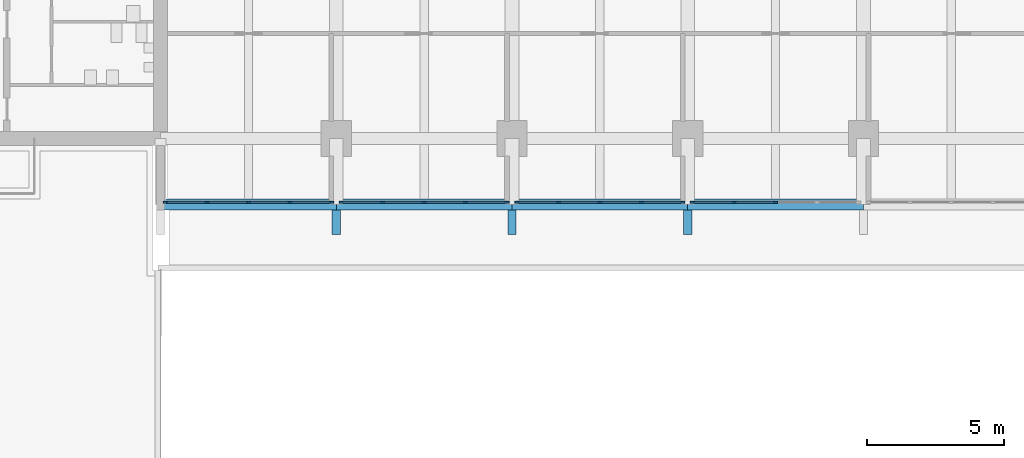
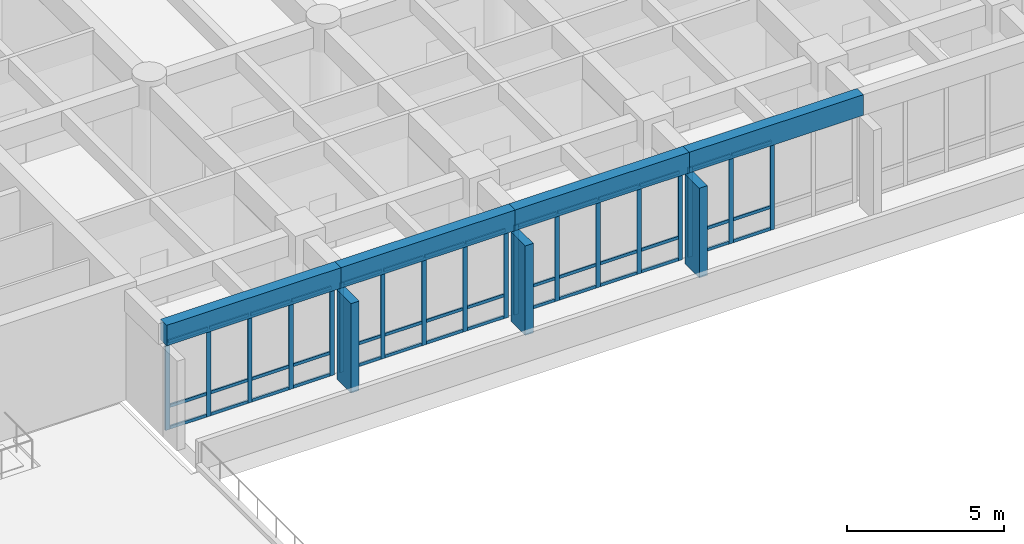
# One storey, part 2 of 21: 63 members, 4 beams, 4 elements without a shape of their own.
"""IFC4 building model written with IfcOpenShell, lengths in metres."""

from ifc_helpers import new_model, si_unit, direction, frame, origin, origin_2d, place, context, subcontext, project, spatial, rectangle, extrude, material, layer, layer_set, material_profile, profile_set, type_object, element, aggregate, save


model = new_model("IFC4")

# Units and contexts
model_context = context("Model", 3, precision=1e-05, world=origin(), true_north=direction((0.0, 1.0)))
body_context = subcontext(model_context, "Body", "Model", "MODEL_VIEW")
ifc_project = project(units=[si_unit("LENGTHUNIT", "METRE"), si_unit("AREAUNIT", "SQUARE_METRE"), si_unit("VOLUMEUNIT", "CUBIC_METRE"), si_unit("PLANEANGLEUNIT", "RADIAN"), si_unit("MASSUNIT", "GRAM", prefix="KILO")], contexts=[model_context])

# Site, building, storey
site_placement = place(None, origin())
site = spatial("IfcSite", under=ifc_project, at=site_placement, CompositionType="ELEMENT")
building_placement = place(site_placement, origin())
building = spatial("IfcBuilding", under=site, at=building_placement, Name="Fogon Plaza Fire Station and Headquarters Tower", CompositionType="ELEMENT")
storey_placement = place(building_placement, frame((0.0, 0.0, 8.39990234375)))
storey = spatial("IfcBuildingStorey", under=building, at=storey_placement, Name="L02", CompositionType="ELEMENT", Elevation=8.39990234375)

# Beams
ifc_material_1 = material(Name="Concrete C40", Category="concrete")
ifc_material_profile_1 = material_profile(ifc_material_1, rectangle(XDim=0.39990234375, YDim=0.800048828125, at=origin_2d()), Name="RC 400x800")
ifc_profile_set_1 = profile_set([ifc_material_profile_1], Name="Concrete C40")
beam_type = type_object("IfcBeamType", Name="BEAM RC 400x800", PredefinedType="BEAM", material=ifc_profile_set_1)
for number, where, z_axis, x_axis, name in (
    (1, (25.60009765625, 31.199951171875, 3.880126953125), (1.0, 0.0, 0.0), (0.0, 1.0, 0.0), "beam-L02-039"),
    (2, (32.0, 31.199951171875, 3.880126953125), (1.0, 0.0, 0.0), (0.0, 1.0, 0.0), "beam-L02-040"),
):
    element("IfcBeam", number, at=place(storey_placement, frame(where, z_axis=z_axis, x_axis=x_axis)), inside=storey, type_object=beam_type, Name=name, PredefinedType="BEAM", context=body_context, shape_type="SweptSolid", body=[
        extrude(rectangle(XDim=0.39990234375, YDim=0.800048828125, at=origin_2d()), origin(), (0.0, 0.0, 1.0), 6.39990234375),
    ])
beam_1_placement = place(storey_placement, frame((38.39990234375, 31.199951171875, 3.880126953125), z_axis=(1.0, 0.0, 0.0), x_axis=(0.0, 1.0, 0.0)))
element("IfcBeam", 3, at=beam_1_placement, inside=storey, type_object=beam_type, Name="beam-L02-041", PredefinedType="BEAM", context=body_context, shape_type="SweptSolid", body=[
    extrude(rectangle(XDim=0.39990234375, YDim=0.800048828125, at=origin_2d()), origin(), (0.0, 0.0, 1.0), 6.400146484375),
])
beam_2_placement = place(storey_placement, frame((44.800048828125, 31.199951171875, 3.880126953125), z_axis=(1.0, 0.0, 0.0), x_axis=(0.0, 1.0, 0.0)))
element("IfcBeam", 4, at=beam_2_placement, inside=storey, type_object=beam_type, Name="beam-L02-042", PredefinedType="BEAM", context=body_context, shape_type="SweptSolid", body=[
    extrude(rectangle(XDim=0.39990234375, YDim=0.800048828125, at=origin_2d()), origin(), (0.0, 0.0, 1.0), 6.39990234375),
])

# Curtain wall, members
ifc_material_2 = material(Name="Aluminium and glass", Category="aluminium")
ifc_layer = layer(ifc_material_2, 0.14990234375)
ifc_layer_set = layer_set([ifc_layer], Name="Aluminium and glass")
curtain_wall_type = type_object("IfcCurtainWallType", Name="Unitised Curtain Wall Run 6100x3480", PredefinedType="NOTDEFINED", material=ifc_layer_set)
curtain_wall_1_placement = place(storey_placement, origin())
curtain_wall_1 = element("IfcCurtainWall", 5, at=curtain_wall_1_placement, inside=storey, type_object=curtain_wall_type, Name="CW-6100x3480 S1 L02", PredefinedType="NOTDEFINED")
ifc_material_3 = material(Name="Aluminium", Category="aluminium")
ifc_material_profile_2 = material_profile(ifc_material_3, rectangle(XDim=0.06005859375, YDim=0.159912109375, at=origin_2d()), Name="Curtain Wall Mullion 60x160")
ifc_profile_set_2 = profile_set([ifc_material_profile_2], Name="Aluminium")
member_type_1 = type_object("IfcMemberType", Name="Curtain Wall Mullion 60x160", PredefinedType="MULLION", material=ifc_profile_set_2)
member_1_placement = place(storey_placement, frame((25.780029296875, 31.280029296875, 0.0), z_axis=(0.0, 0.0, 1.0), x_axis=(0.0, 1.0, 0.0)))
member_1 = element("IfcMember", 6, at=member_1_placement, type_object=member_type_1, Name="CW-6100x3480 mullion 1", PredefinedType="MULLION", context=body_context, shape_type="SweptSolid", body=[
    extrude(rectangle(XDim=0.06005859375, YDim=0.159912109375, at=origin_2d()), origin(), (0.0, 0.0, 1.0), 3.47998046875),
])
member_2_placement = place(storey_placement, frame((27.2900390625, 31.280029296875, 0.0), z_axis=(0.0, 0.0, 1.0), x_axis=(0.0, 1.0, 0.0)))
member_2 = element("IfcMember", 7, at=member_2_placement, type_object=member_type_1, Name="CW-6100x3480 mullion 2", PredefinedType="MULLION", context=body_context, shape_type="SweptSolid", body=[
    extrude(rectangle(XDim=0.06005859375, YDim=0.159912109375, at=origin_2d()), origin(), (0.0, 0.0, 1.0), 3.47998046875),
])
member_3_placement = place(storey_placement, frame((28.800048828125, 31.280029296875, 0.0), z_axis=(0.0, 0.0, 1.0), x_axis=(0.0, 1.0, 0.0)))
member_3 = element("IfcMember", 8, at=member_3_placement, type_object=member_type_1, Name="CW-6100x3480 mullion 3", PredefinedType="MULLION", context=body_context, shape_type="SweptSolid", body=[
    extrude(rectangle(XDim=0.06005859375, YDim=0.159912109375, at=origin_2d()), origin(), (0.0, 0.0, 1.0), 3.47998046875),
])
member_4_placement = place(storey_placement, frame((30.31005859375, 31.280029296875, 0.0), z_axis=(0.0, 0.0, 1.0), x_axis=(0.0, 1.0, 0.0)))
member_4 = element("IfcMember", 9, at=member_4_placement, type_object=member_type_1, Name="CW-6100x3480 mullion 4", PredefinedType="MULLION", context=body_context, shape_type="SweptSolid", body=[
    extrude(rectangle(XDim=0.06005859375, YDim=0.159912109375, at=origin_2d()), origin(), (0.0, 0.0, 1.0), 3.47998046875),
])
member_5_placement = place(storey_placement, frame((31.820068359375, 31.280029296875, 0.0), z_axis=(0.0, 0.0, 1.0), x_axis=(0.0, 1.0, 0.0)))
member_5 = element("IfcMember", 10, at=member_5_placement, type_object=member_type_1, Name="CW-6100x3480 mullion 5", PredefinedType="MULLION", context=body_context, shape_type="SweptSolid", body=[
    extrude(rectangle(XDim=0.06005859375, YDim=0.159912109375, at=origin_2d()), origin(), (0.0, 0.0, 1.0), 3.47998046875),
])

curtain_wall_2_placement = place(storey_placement, origin())
curtain_wall_2 = element("IfcCurtainWall", 11, at=curtain_wall_2_placement, inside=storey, type_object=curtain_wall_type, Name="CW-6100x3480 S2 L02", PredefinedType="NOTDEFINED")
member_6_placement = place(storey_placement, frame((32.179931640625, 31.280029296875, 0.0), z_axis=(0.0, 0.0, 1.0), x_axis=(0.0, 1.0, 0.0)))
member_6 = element("IfcMember", 12, at=member_6_placement, type_object=member_type_1, Name="CW-6100x3480 mullion 1", PredefinedType="MULLION", context=body_context, shape_type="SweptSolid", body=[
    extrude(rectangle(XDim=0.06005859375, YDim=0.159912109375, at=origin_2d()), origin(), (0.0, 0.0, 1.0), 3.47998046875),
])
member_7_placement = place(storey_placement, frame((33.68994140625, 31.280029296875, 0.0), z_axis=(0.0, 0.0, 1.0), x_axis=(0.0, 1.0, 0.0)))
member_7 = element("IfcMember", 13, at=member_7_placement, type_object=member_type_1, Name="CW-6100x3480 mullion 2", PredefinedType="MULLION", context=body_context, shape_type="SweptSolid", body=[
    extrude(rectangle(XDim=0.06005859375, YDim=0.159912109375, at=origin_2d()), origin(), (0.0, 0.0, 1.0), 3.47998046875),
])
member_8_placement = place(storey_placement, frame((35.199951171875, 31.280029296875, 0.0), z_axis=(0.0, 0.0, 1.0), x_axis=(0.0, 1.0, 0.0)))
member_8 = element("IfcMember", 14, at=member_8_placement, type_object=member_type_1, Name="CW-6100x3480 mullion 3", PredefinedType="MULLION", context=body_context, shape_type="SweptSolid", body=[
    extrude(rectangle(XDim=0.06005859375, YDim=0.159912109375, at=origin_2d()), origin(), (0.0, 0.0, 1.0), 3.47998046875),
])
member_9_placement = place(storey_placement, frame((36.7099609375, 31.280029296875, 0.0), z_axis=(0.0, 0.0, 1.0), x_axis=(0.0, 1.0, 0.0)))
member_9 = element("IfcMember", 15, at=member_9_placement, type_object=member_type_1, Name="CW-6100x3480 mullion 4", PredefinedType="MULLION", context=body_context, shape_type="SweptSolid", body=[
    extrude(rectangle(XDim=0.06005859375, YDim=0.159912109375, at=origin_2d()), origin(), (0.0, 0.0, 1.0), 3.47998046875),
])
member_10_placement = place(storey_placement, frame((38.219970703125, 31.280029296875, 0.0), z_axis=(0.0, 0.0, 1.0), x_axis=(0.0, 1.0, 0.0)))
member_10 = element("IfcMember", 16, at=member_10_placement, type_object=member_type_1, Name="CW-6100x3480 mullion 5", PredefinedType="MULLION", context=body_context, shape_type="SweptSolid", body=[
    extrude(rectangle(XDim=0.06005859375, YDim=0.159912109375, at=origin_2d()), origin(), (0.0, 0.0, 1.0), 3.47998046875),
])

curtain_wall_3_placement = place(storey_placement, origin())
curtain_wall_3 = element("IfcCurtainWall", 17, at=curtain_wall_3_placement, inside=storey, type_object=curtain_wall_type, Name="CW-6100x3480 S3 L02", PredefinedType="NOTDEFINED")
member_11_placement = place(storey_placement, frame((38.580078125, 31.280029296875, 0.0), z_axis=(0.0, 0.0, 1.0), x_axis=(0.0, 1.0, 0.0)))
member_11 = element("IfcMember", 18, at=member_11_placement, type_object=member_type_1, Name="CW-6100x3480 mullion 1", PredefinedType="MULLION", context=body_context, shape_type="SweptSolid", body=[
    extrude(rectangle(XDim=0.06005859375, YDim=0.159912109375, at=origin_2d()), origin(), (0.0, 0.0, 1.0), 3.47998046875),
])
member_12_placement = place(storey_placement, frame((40.090087890625, 31.280029296875, 0.0), z_axis=(0.0, 0.0, 1.0), x_axis=(0.0, 1.0, 0.0)))
member_12 = element("IfcMember", 19, at=member_12_placement, type_object=member_type_1, Name="CW-6100x3480 mullion 2", PredefinedType="MULLION", context=body_context, shape_type="SweptSolid", body=[
    extrude(rectangle(XDim=0.06005859375, YDim=0.159912109375, at=origin_2d()), origin(), (0.0, 0.0, 1.0), 3.47998046875),
])
member_13_placement = place(storey_placement, frame((41.60009765625, 31.280029296875, 0.0), z_axis=(0.0, 0.0, 1.0), x_axis=(0.0, 1.0, 0.0)))
member_13 = element("IfcMember", 20, at=member_13_placement, type_object=member_type_1, Name="CW-6100x3480 mullion 3", PredefinedType="MULLION", context=body_context, shape_type="SweptSolid", body=[
    extrude(rectangle(XDim=0.06005859375, YDim=0.159912109375, at=origin_2d()), origin(), (0.0, 0.0, 1.0), 3.47998046875),
])
member_14_placement = place(storey_placement, frame((43.110107421875, 31.280029296875, 0.0), z_axis=(0.0, 0.0, 1.0), x_axis=(0.0, 1.0, 0.0)))
member_14 = element("IfcMember", 21, at=member_14_placement, type_object=member_type_1, Name="CW-6100x3480 mullion 4", PredefinedType="MULLION", context=body_context, shape_type="SweptSolid", body=[
    extrude(rectangle(XDim=0.06005859375, YDim=0.159912109375, at=origin_2d()), origin(), (0.0, 0.0, 1.0), 3.47998046875),
])
member_15_placement = place(storey_placement, frame((44.6201171875, 31.280029296875, 0.0), z_axis=(0.0, 0.0, 1.0), x_axis=(0.0, 1.0, 0.0)))
member_15 = element("IfcMember", 22, at=member_15_placement, type_object=member_type_1, Name="CW-6100x3480 mullion 5", PredefinedType="MULLION", context=body_context, shape_type="SweptSolid", body=[
    extrude(rectangle(XDim=0.06005859375, YDim=0.159912109375, at=origin_2d()), origin(), (0.0, 0.0, 1.0), 3.47998046875),
])

curtain_wall_4_placement = place(storey_placement, origin())
curtain_wall_4 = element("IfcCurtainWall", 23, at=curtain_wall_4_placement, inside=storey, type_object=curtain_wall_type, Name="CW-6100x3480 S4 L02", PredefinedType="NOTDEFINED")
member_16_placement = place(storey_placement, frame((44.97998046875, 31.280029296875, 0.0), z_axis=(0.0, 0.0, 1.0), x_axis=(0.0, 1.0, 0.0)))
member_16 = element("IfcMember", 24, at=member_16_placement, type_object=member_type_1, Name="CW-6100x3480 mullion 1", PredefinedType="MULLION", context=body_context, shape_type="SweptSolid", body=[
    extrude(rectangle(XDim=0.06005859375, YDim=0.159912109375, at=origin_2d()), origin(), (0.0, 0.0, 1.0), 3.47998046875),
])
member_17_placement = place(storey_placement, frame((46.489990234375, 31.280029296875, 0.0), z_axis=(0.0, 0.0, 1.0), x_axis=(0.0, 1.0, 0.0)))
member_17 = element("IfcMember", 25, at=member_17_placement, type_object=member_type_1, Name="CW-6100x3480 mullion 2", PredefinedType="MULLION", context=body_context, shape_type="SweptSolid", body=[
    extrude(rectangle(XDim=0.06005859375, YDim=0.159912109375, at=origin_2d()), origin(), (0.0, 0.0, 1.0), 3.47998046875),
])
member_18_placement = place(storey_placement, frame((48.0, 31.280029296875, 0.0), z_axis=(0.0, 0.0, 1.0), x_axis=(0.0, 1.0, 0.0)))
member_18 = element("IfcMember", 26, at=member_18_placement, type_object=member_type_1, Name="CW-6100x3480 mullion 3", PredefinedType="MULLION", context=body_context, shape_type="SweptSolid", body=[
    extrude(rectangle(XDim=0.06005859375, YDim=0.159912109375, at=origin_2d()), origin(), (0.0, 0.0, 1.0), 3.47998046875),
])

# Member
ifc_material_4 = material(Name="Aluminium", Category="aluminium")
ifc_material_profile_3 = material_profile(ifc_material_4, rectangle(XDim=0.06005859375, YDim=0.1201171875, at=origin_2d()), Name="Curtain Wall Transom 60x120")
ifc_profile_set_3 = profile_set([ifc_material_profile_3], Name="Aluminium")
member_type_2 = type_object("IfcMemberType", Name="Curtain Wall Transom 60x120", PredefinedType="USERDEFINED", material=ifc_profile_set_3)
member_19_placement = place(storey_placement, frame((25.81005859375, 31.280029296875, 0.06005859375), z_axis=(1.0, 0.0, 0.0), x_axis=(0.0, 1.0, 0.0)))
member_19 = element("IfcMember", 27, at=member_19_placement, type_object=member_type_2, Name="CW-6100x3480 transom 1.1", ObjectType="TRANSOM", PredefinedType="USERDEFINED", context=body_context, shape_type="SweptSolid", body=[
    extrude(rectangle(XDim=0.06005859375, YDim=0.1201171875, at=origin_2d()), origin(), (0.0, 0.0, 1.0), 1.449951171875),
])

member_20_placement = place(storey_placement, frame((25.81005859375, 31.280029296875, 0.900146484375), z_axis=(1.0, 0.0, 0.0), x_axis=(0.0, 1.0, 0.0)))
member_20 = element("IfcMember", 28, at=member_20_placement, type_object=member_type_2, Name="CW-6100x3480 transom 1.2", ObjectType="TRANSOM", PredefinedType="USERDEFINED", context=body_context, shape_type="SweptSolid", body=[
    extrude(rectangle(XDim=0.06005859375, YDim=0.1201171875, at=origin_2d()), origin(), (0.0, 0.0, 1.0), 1.449951171875),
])

member_21_placement = place(storey_placement, frame((25.81005859375, 31.280029296875, 3.420166015625), z_axis=(1.0, 0.0, 0.0), x_axis=(0.0, 1.0, 0.0)))
member_21 = element("IfcMember", 29, at=member_21_placement, type_object=member_type_2, Name="CW-6100x3480 transom 1.3", ObjectType="TRANSOM", PredefinedType="USERDEFINED", context=body_context, shape_type="SweptSolid", body=[
    extrude(rectangle(XDim=0.06005859375, YDim=0.1201171875, at=origin_2d()), origin(), (0.0, 0.0, 1.0), 1.449951171875),
])

member_22_placement = place(storey_placement, frame((27.320068359375, 31.280029296875, 0.06005859375), z_axis=(1.0, 0.0, 0.0), x_axis=(0.0, 1.0, 0.0)))
member_22 = element("IfcMember", 30, at=member_22_placement, type_object=member_type_2, Name="CW-6100x3480 transom 2.1", ObjectType="TRANSOM", PredefinedType="USERDEFINED", context=body_context, shape_type="SweptSolid", body=[
    extrude(rectangle(XDim=0.06005859375, YDim=0.1201171875, at=origin_2d()), origin(), (0.0, 0.0, 1.0), 1.449951171875),
])

member_23_placement = place(storey_placement, frame((27.320068359375, 31.280029296875, 0.900146484375), z_axis=(1.0, 0.0, 0.0), x_axis=(0.0, 1.0, 0.0)))
member_23 = element("IfcMember", 31, at=member_23_placement, type_object=member_type_2, Name="CW-6100x3480 transom 2.2", ObjectType="TRANSOM", PredefinedType="USERDEFINED", context=body_context, shape_type="SweptSolid", body=[
    extrude(rectangle(XDim=0.06005859375, YDim=0.1201171875, at=origin_2d()), origin(), (0.0, 0.0, 1.0), 1.449951171875),
])

member_24_placement = place(storey_placement, frame((27.320068359375, 31.280029296875, 3.420166015625), z_axis=(1.0, 0.0, 0.0), x_axis=(0.0, 1.0, 0.0)))
member_24 = element("IfcMember", 32, at=member_24_placement, type_object=member_type_2, Name="CW-6100x3480 transom 2.3", ObjectType="TRANSOM", PredefinedType="USERDEFINED", context=body_context, shape_type="SweptSolid", body=[
    extrude(rectangle(XDim=0.06005859375, YDim=0.1201171875, at=origin_2d()), origin(), (0.0, 0.0, 1.0), 1.449951171875),
])

member_25_placement = place(storey_placement, frame((28.830078125, 31.280029296875, 0.06005859375), z_axis=(1.0, 0.0, 0.0), x_axis=(0.0, 1.0, 0.0)))
member_25 = element("IfcMember", 33, at=member_25_placement, type_object=member_type_2, Name="CW-6100x3480 transom 3.1", ObjectType="TRANSOM", PredefinedType="USERDEFINED", context=body_context, shape_type="SweptSolid", body=[
    extrude(rectangle(XDim=0.06005859375, YDim=0.1201171875, at=origin_2d()), origin(), (0.0, 0.0, 1.0), 1.449951171875),
])

member_26_placement = place(storey_placement, frame((28.830078125, 31.280029296875, 0.900146484375), z_axis=(1.0, 0.0, 0.0), x_axis=(0.0, 1.0, 0.0)))
member_26 = element("IfcMember", 34, at=member_26_placement, type_object=member_type_2, Name="CW-6100x3480 transom 3.2", ObjectType="TRANSOM", PredefinedType="USERDEFINED", context=body_context, shape_type="SweptSolid", body=[
    extrude(rectangle(XDim=0.06005859375, YDim=0.1201171875, at=origin_2d()), origin(), (0.0, 0.0, 1.0), 1.449951171875),
])

member_27_placement = place(storey_placement, frame((28.830078125, 31.280029296875, 3.420166015625), z_axis=(1.0, 0.0, 0.0), x_axis=(0.0, 1.0, 0.0)))
member_27 = element("IfcMember", 35, at=member_27_placement, type_object=member_type_2, Name="CW-6100x3480 transom 3.3", ObjectType="TRANSOM", PredefinedType="USERDEFINED", context=body_context, shape_type="SweptSolid", body=[
    extrude(rectangle(XDim=0.06005859375, YDim=0.1201171875, at=origin_2d()), origin(), (0.0, 0.0, 1.0), 1.449951171875),
])

member_28_placement = place(storey_placement, frame((30.340087890625, 31.280029296875, 0.06005859375), z_axis=(1.0, 0.0, 0.0), x_axis=(0.0, 1.0, 0.0)))
member_28 = element("IfcMember", 36, at=member_28_placement, type_object=member_type_2, Name="CW-6100x3480 transom 4.1", ObjectType="TRANSOM", PredefinedType="USERDEFINED", context=body_context, shape_type="SweptSolid", body=[
    extrude(rectangle(XDim=0.06005859375, YDim=0.1201171875, at=origin_2d()), origin(), (0.0, 0.0, 1.0), 1.449951171875),
])

member_29_placement = place(storey_placement, frame((30.340087890625, 31.280029296875, 0.900146484375), z_axis=(1.0, 0.0, 0.0), x_axis=(0.0, 1.0, 0.0)))
member_29 = element("IfcMember", 37, at=member_29_placement, type_object=member_type_2, Name="CW-6100x3480 transom 4.2", ObjectType="TRANSOM", PredefinedType="USERDEFINED", context=body_context, shape_type="SweptSolid", body=[
    extrude(rectangle(XDim=0.06005859375, YDim=0.1201171875, at=origin_2d()), origin(), (0.0, 0.0, 1.0), 1.449951171875),
])

member_30_placement = place(storey_placement, frame((30.340087890625, 31.280029296875, 3.420166015625), z_axis=(1.0, 0.0, 0.0), x_axis=(0.0, 1.0, 0.0)))
member_30 = element("IfcMember", 38, at=member_30_placement, type_object=member_type_2, Name="CW-6100x3480 transom 4.3", ObjectType="TRANSOM", PredefinedType="USERDEFINED", context=body_context, shape_type="SweptSolid", body=[
    extrude(rectangle(XDim=0.06005859375, YDim=0.1201171875, at=origin_2d()), origin(), (0.0, 0.0, 1.0), 1.449951171875),
])

aggregate(curtain_wall_1, [member_1, member_2, member_3, member_4, member_5, member_19, member_20, member_21, member_22, member_23, member_24, member_25, member_26, member_27, member_28, member_29, member_30])

member_31_placement = place(storey_placement, frame((32.2099609375, 31.280029296875, 0.06005859375), z_axis=(1.0, 0.0, 0.0), x_axis=(0.0, 1.0, 0.0)))
member_31 = element("IfcMember", 39, at=member_31_placement, type_object=member_type_2, Name="CW-6100x3480 transom 1.1", ObjectType="TRANSOM", PredefinedType="USERDEFINED", context=body_context, shape_type="SweptSolid", body=[
    extrude(rectangle(XDim=0.06005859375, YDim=0.1201171875, at=origin_2d()), origin(), (0.0, 0.0, 1.0), 1.449951171875),
])

member_32_placement = place(storey_placement, frame((32.2099609375, 31.280029296875, 0.900146484375), z_axis=(1.0, 0.0, 0.0), x_axis=(0.0, 1.0, 0.0)))
member_32 = element("IfcMember", 40, at=member_32_placement, type_object=member_type_2, Name="CW-6100x3480 transom 1.2", ObjectType="TRANSOM", PredefinedType="USERDEFINED", context=body_context, shape_type="SweptSolid", body=[
    extrude(rectangle(XDim=0.06005859375, YDim=0.1201171875, at=origin_2d()), origin(), (0.0, 0.0, 1.0), 1.449951171875),
])

member_33_placement = place(storey_placement, frame((32.2099609375, 31.280029296875, 3.420166015625), z_axis=(1.0, 0.0, 0.0), x_axis=(0.0, 1.0, 0.0)))
member_33 = element("IfcMember", 41, at=member_33_placement, type_object=member_type_2, Name="CW-6100x3480 transom 1.3", ObjectType="TRANSOM", PredefinedType="USERDEFINED", context=body_context, shape_type="SweptSolid", body=[
    extrude(rectangle(XDim=0.06005859375, YDim=0.1201171875, at=origin_2d()), origin(), (0.0, 0.0, 1.0), 1.449951171875),
])

member_34_placement = place(storey_placement, frame((33.719970703125, 31.280029296875, 0.06005859375), z_axis=(1.0, 0.0, 0.0), x_axis=(0.0, 1.0, 0.0)))
member_34 = element("IfcMember", 42, at=member_34_placement, type_object=member_type_2, Name="CW-6100x3480 transom 2.1", ObjectType="TRANSOM", PredefinedType="USERDEFINED", context=body_context, shape_type="SweptSolid", body=[
    extrude(rectangle(XDim=0.06005859375, YDim=0.1201171875, at=origin_2d()), origin(), (0.0, 0.0, 1.0), 1.449951171875),
])

member_35_placement = place(storey_placement, frame((33.719970703125, 31.280029296875, 0.900146484375), z_axis=(1.0, 0.0, 0.0), x_axis=(0.0, 1.0, 0.0)))
member_35 = element("IfcMember", 43, at=member_35_placement, type_object=member_type_2, Name="CW-6100x3480 transom 2.2", ObjectType="TRANSOM", PredefinedType="USERDEFINED", context=body_context, shape_type="SweptSolid", body=[
    extrude(rectangle(XDim=0.06005859375, YDim=0.1201171875, at=origin_2d()), origin(), (0.0, 0.0, 1.0), 1.449951171875),
])

member_36_placement = place(storey_placement, frame((33.719970703125, 31.280029296875, 3.420166015625), z_axis=(1.0, 0.0, 0.0), x_axis=(0.0, 1.0, 0.0)))
member_36 = element("IfcMember", 44, at=member_36_placement, type_object=member_type_2, Name="CW-6100x3480 transom 2.3", ObjectType="TRANSOM", PredefinedType="USERDEFINED", context=body_context, shape_type="SweptSolid", body=[
    extrude(rectangle(XDim=0.06005859375, YDim=0.1201171875, at=origin_2d()), origin(), (0.0, 0.0, 1.0), 1.449951171875),
])

member_37_placement = place(storey_placement, frame((35.22998046875, 31.280029296875, 0.06005859375), z_axis=(1.0, 0.0, 0.0), x_axis=(0.0, 1.0, 0.0)))
member_37 = element("IfcMember", 45, at=member_37_placement, type_object=member_type_2, Name="CW-6100x3480 transom 3.1", ObjectType="TRANSOM", PredefinedType="USERDEFINED", context=body_context, shape_type="SweptSolid", body=[
    extrude(rectangle(XDim=0.06005859375, YDim=0.1201171875, at=origin_2d()), origin(), (0.0, 0.0, 1.0), 1.449951171875),
])

member_38_placement = place(storey_placement, frame((35.22998046875, 31.280029296875, 0.900146484375), z_axis=(1.0, 0.0, 0.0), x_axis=(0.0, 1.0, 0.0)))
member_38 = element("IfcMember", 46, at=member_38_placement, type_object=member_type_2, Name="CW-6100x3480 transom 3.2", ObjectType="TRANSOM", PredefinedType="USERDEFINED", context=body_context, shape_type="SweptSolid", body=[
    extrude(rectangle(XDim=0.06005859375, YDim=0.1201171875, at=origin_2d()), origin(), (0.0, 0.0, 1.0), 1.449951171875),
])

member_39_placement = place(storey_placement, frame((35.22998046875, 31.280029296875, 3.420166015625), z_axis=(1.0, 0.0, 0.0), x_axis=(0.0, 1.0, 0.0)))
member_39 = element("IfcMember", 47, at=member_39_placement, type_object=member_type_2, Name="CW-6100x3480 transom 3.3", ObjectType="TRANSOM", PredefinedType="USERDEFINED", context=body_context, shape_type="SweptSolid", body=[
    extrude(rectangle(XDim=0.06005859375, YDim=0.1201171875, at=origin_2d()), origin(), (0.0, 0.0, 1.0), 1.449951171875),
])

member_40_placement = place(storey_placement, frame((36.739990234375, 31.280029296875, 0.06005859375), z_axis=(1.0, 0.0, 0.0), x_axis=(0.0, 1.0, 0.0)))
member_40 = element("IfcMember", 48, at=member_40_placement, type_object=member_type_2, Name="CW-6100x3480 transom 4.1", ObjectType="TRANSOM", PredefinedType="USERDEFINED", context=body_context, shape_type="SweptSolid", body=[
    extrude(rectangle(XDim=0.06005859375, YDim=0.1201171875, at=origin_2d()), origin(), (0.0, 0.0, 1.0), 1.449951171875),
])

member_41_placement = place(storey_placement, frame((36.739990234375, 31.280029296875, 0.900146484375), z_axis=(1.0, 0.0, 0.0), x_axis=(0.0, 1.0, 0.0)))
member_41 = element("IfcMember", 49, at=member_41_placement, type_object=member_type_2, Name="CW-6100x3480 transom 4.2", ObjectType="TRANSOM", PredefinedType="USERDEFINED", context=body_context, shape_type="SweptSolid", body=[
    extrude(rectangle(XDim=0.06005859375, YDim=0.1201171875, at=origin_2d()), origin(), (0.0, 0.0, 1.0), 1.449951171875),
])

member_42_placement = place(storey_placement, frame((36.739990234375, 31.280029296875, 3.420166015625), z_axis=(1.0, 0.0, 0.0), x_axis=(0.0, 1.0, 0.0)))
member_42 = element("IfcMember", 50, at=member_42_placement, type_object=member_type_2, Name="CW-6100x3480 transom 4.3", ObjectType="TRANSOM", PredefinedType="USERDEFINED", context=body_context, shape_type="SweptSolid", body=[
    extrude(rectangle(XDim=0.06005859375, YDim=0.1201171875, at=origin_2d()), origin(), (0.0, 0.0, 1.0), 1.449951171875),
])

aggregate(curtain_wall_2, [member_6, member_7, member_8, member_9, member_10, member_31, member_32, member_33, member_34, member_35, member_36, member_37, member_38, member_39, member_40, member_41, member_42])

member_43_placement = place(storey_placement, frame((38.610107421875, 31.280029296875, 0.06005859375), z_axis=(1.0, 0.0, 0.0), x_axis=(0.0, 1.0, 0.0)))
member_43 = element("IfcMember", 51, at=member_43_placement, type_object=member_type_2, Name="CW-6100x3480 transom 1.1", ObjectType="TRANSOM", PredefinedType="USERDEFINED", context=body_context, shape_type="SweptSolid", body=[
    extrude(rectangle(XDim=0.06005859375, YDim=0.1201171875, at=origin_2d()), origin(), (0.0, 0.0, 1.0), 1.449951171875),
])

member_44_placement = place(storey_placement, frame((38.610107421875, 31.280029296875, 0.900146484375), z_axis=(1.0, 0.0, 0.0), x_axis=(0.0, 1.0, 0.0)))
member_44 = element("IfcMember", 52, at=member_44_placement, type_object=member_type_2, Name="CW-6100x3480 transom 1.2", ObjectType="TRANSOM", PredefinedType="USERDEFINED", context=body_context, shape_type="SweptSolid", body=[
    extrude(rectangle(XDim=0.06005859375, YDim=0.1201171875, at=origin_2d()), origin(), (0.0, 0.0, 1.0), 1.449951171875),
])

member_45_placement = place(storey_placement, frame((38.610107421875, 31.280029296875, 3.420166015625), z_axis=(1.0, 0.0, 0.0), x_axis=(0.0, 1.0, 0.0)))
member_45 = element("IfcMember", 53, at=member_45_placement, type_object=member_type_2, Name="CW-6100x3480 transom 1.3", ObjectType="TRANSOM", PredefinedType="USERDEFINED", context=body_context, shape_type="SweptSolid", body=[
    extrude(rectangle(XDim=0.06005859375, YDim=0.1201171875, at=origin_2d()), origin(), (0.0, 0.0, 1.0), 1.449951171875),
])

member_46_placement = place(storey_placement, frame((40.1201171875, 31.280029296875, 0.06005859375), z_axis=(1.0, 0.0, 0.0), x_axis=(0.0, 1.0, 0.0)))
member_46 = element("IfcMember", 54, at=member_46_placement, type_object=member_type_2, Name="CW-6100x3480 transom 2.1", ObjectType="TRANSOM", PredefinedType="USERDEFINED", context=body_context, shape_type="SweptSolid", body=[
    extrude(rectangle(XDim=0.06005859375, YDim=0.1201171875, at=origin_2d()), origin(), (0.0, 0.0, 1.0), 1.449951171875),
])

member_47_placement = place(storey_placement, frame((40.1201171875, 31.280029296875, 0.900146484375), z_axis=(1.0, 0.0, 0.0), x_axis=(0.0, 1.0, 0.0)))
member_47 = element("IfcMember", 55, at=member_47_placement, type_object=member_type_2, Name="CW-6100x3480 transom 2.2", ObjectType="TRANSOM", PredefinedType="USERDEFINED", context=body_context, shape_type="SweptSolid", body=[
    extrude(rectangle(XDim=0.06005859375, YDim=0.1201171875, at=origin_2d()), origin(), (0.0, 0.0, 1.0), 1.449951171875),
])

member_48_placement = place(storey_placement, frame((40.1201171875, 31.280029296875, 3.420166015625), z_axis=(1.0, 0.0, 0.0), x_axis=(0.0, 1.0, 0.0)))
member_48 = element("IfcMember", 56, at=member_48_placement, type_object=member_type_2, Name="CW-6100x3480 transom 2.3", ObjectType="TRANSOM", PredefinedType="USERDEFINED", context=body_context, shape_type="SweptSolid", body=[
    extrude(rectangle(XDim=0.06005859375, YDim=0.1201171875, at=origin_2d()), origin(), (0.0, 0.0, 1.0), 1.449951171875),
])

member_49_placement = place(storey_placement, frame((41.6298828125, 31.280029296875, 0.06005859375), z_axis=(1.0, 0.0, 0.0), x_axis=(0.0, 1.0, 0.0)))
member_49 = element("IfcMember", 57, at=member_49_placement, type_object=member_type_2, Name="CW-6100x3480 transom 3.1", ObjectType="TRANSOM", PredefinedType="USERDEFINED", context=body_context, shape_type="SweptSolid", body=[
    extrude(rectangle(XDim=0.06005859375, YDim=0.1201171875, at=origin_2d()), origin(), (0.0, 0.0, 1.0), 1.4501953125),
])

member_50_placement = place(storey_placement, frame((41.6298828125, 31.280029296875, 0.900146484375), z_axis=(1.0, 0.0, 0.0), x_axis=(0.0, 1.0, 0.0)))
member_50 = element("IfcMember", 58, at=member_50_placement, type_object=member_type_2, Name="CW-6100x3480 transom 3.2", ObjectType="TRANSOM", PredefinedType="USERDEFINED", context=body_context, shape_type="SweptSolid", body=[
    extrude(rectangle(XDim=0.06005859375, YDim=0.1201171875, at=origin_2d()), origin(), (0.0, 0.0, 1.0), 1.4501953125),
])

member_51_placement = place(storey_placement, frame((41.6298828125, 31.280029296875, 3.420166015625), z_axis=(1.0, 0.0, 0.0), x_axis=(0.0, 1.0, 0.0)))
member_51 = element("IfcMember", 59, at=member_51_placement, type_object=member_type_2, Name="CW-6100x3480 transom 3.3", ObjectType="TRANSOM", PredefinedType="USERDEFINED", context=body_context, shape_type="SweptSolid", body=[
    extrude(rectangle(XDim=0.06005859375, YDim=0.1201171875, at=origin_2d()), origin(), (0.0, 0.0, 1.0), 1.4501953125),
])

member_52_placement = place(storey_placement, frame((43.139892578125, 31.280029296875, 0.06005859375), z_axis=(1.0, 0.0, 0.0), x_axis=(0.0, 1.0, 0.0)))
member_52 = element("IfcMember", 60, at=member_52_placement, type_object=member_type_2, Name="CW-6100x3480 transom 4.1", ObjectType="TRANSOM", PredefinedType="USERDEFINED", context=body_context, shape_type="SweptSolid", body=[
    extrude(rectangle(XDim=0.06005859375, YDim=0.1201171875, at=origin_2d()), origin(), (0.0, 0.0, 1.0), 1.4501953125),
])

member_53_placement = place(storey_placement, frame((43.139892578125, 31.280029296875, 0.900146484375), z_axis=(1.0, 0.0, 0.0), x_axis=(0.0, 1.0, 0.0)))
member_53 = element("IfcMember", 61, at=member_53_placement, type_object=member_type_2, Name="CW-6100x3480 transom 4.2", ObjectType="TRANSOM", PredefinedType="USERDEFINED", context=body_context, shape_type="SweptSolid", body=[
    extrude(rectangle(XDim=0.06005859375, YDim=0.1201171875, at=origin_2d()), origin(), (0.0, 0.0, 1.0), 1.4501953125),
])

member_54_placement = place(storey_placement, frame((43.139892578125, 31.280029296875, 3.420166015625), z_axis=(1.0, 0.0, 0.0), x_axis=(0.0, 1.0, 0.0)))
member_54 = element("IfcMember", 62, at=member_54_placement, type_object=member_type_2, Name="CW-6100x3480 transom 4.3", ObjectType="TRANSOM", PredefinedType="USERDEFINED", context=body_context, shape_type="SweptSolid", body=[
    extrude(rectangle(XDim=0.06005859375, YDim=0.1201171875, at=origin_2d()), origin(), (0.0, 0.0, 1.0), 1.4501953125),
])

aggregate(curtain_wall_3, [member_11, member_12, member_13, member_14, member_15, member_43, member_44, member_45, member_46, member_47, member_48, member_49, member_50, member_51, member_52, member_53, member_54])

member_55_placement = place(storey_placement, frame((45.010009765625, 31.280029296875, 0.06005859375), z_axis=(1.0, 0.0, 0.0), x_axis=(0.0, 1.0, 0.0)))
member_55 = element("IfcMember", 63, at=member_55_placement, type_object=member_type_2, Name="CW-6100x3480 transom 1.1", ObjectType="TRANSOM", PredefinedType="USERDEFINED", context=body_context, shape_type="SweptSolid", body=[
    extrude(rectangle(XDim=0.06005859375, YDim=0.1201171875, at=origin_2d()), origin(), (0.0, 0.0, 1.0), 1.449951171875),
])

member_56_placement = place(storey_placement, frame((45.010009765625, 31.280029296875, 0.900146484375), z_axis=(1.0, 0.0, 0.0), x_axis=(0.0, 1.0, 0.0)))
member_56 = element("IfcMember", 64, at=member_56_placement, type_object=member_type_2, Name="CW-6100x3480 transom 1.2", ObjectType="TRANSOM", PredefinedType="USERDEFINED", context=body_context, shape_type="SweptSolid", body=[
    extrude(rectangle(XDim=0.06005859375, YDim=0.1201171875, at=origin_2d()), origin(), (0.0, 0.0, 1.0), 1.449951171875),
])

member_57_placement = place(storey_placement, frame((45.010009765625, 31.280029296875, 3.420166015625), z_axis=(1.0, 0.0, 0.0), x_axis=(0.0, 1.0, 0.0)))
member_57 = element("IfcMember", 65, at=member_57_placement, type_object=member_type_2, Name="CW-6100x3480 transom 1.3", ObjectType="TRANSOM", PredefinedType="USERDEFINED", context=body_context, shape_type="SweptSolid", body=[
    extrude(rectangle(XDim=0.06005859375, YDim=0.1201171875, at=origin_2d()), origin(), (0.0, 0.0, 1.0), 1.449951171875),
])

member_58_placement = place(storey_placement, frame((46.52001953125, 31.280029296875, 0.06005859375), z_axis=(1.0, 0.0, 0.0), x_axis=(0.0, 1.0, 0.0)))
member_58 = element("IfcMember", 66, at=member_58_placement, type_object=member_type_2, Name="CW-6100x3480 transom 2.1", ObjectType="TRANSOM", PredefinedType="USERDEFINED", context=body_context, shape_type="SweptSolid", body=[
    extrude(rectangle(XDim=0.06005859375, YDim=0.1201171875, at=origin_2d()), origin(), (0.0, 0.0, 1.0), 1.449951171875),
])

member_59_placement = place(storey_placement, frame((46.52001953125, 31.280029296875, 0.900146484375), z_axis=(1.0, 0.0, 0.0), x_axis=(0.0, 1.0, 0.0)))
member_59 = element("IfcMember", 67, at=member_59_placement, type_object=member_type_2, Name="CW-6100x3480 transom 2.2", ObjectType="TRANSOM", PredefinedType="USERDEFINED", context=body_context, shape_type="SweptSolid", body=[
    extrude(rectangle(XDim=0.06005859375, YDim=0.1201171875, at=origin_2d()), origin(), (0.0, 0.0, 1.0), 1.449951171875),
])

member_60_placement = place(storey_placement, frame((46.52001953125, 31.280029296875, 3.420166015625), z_axis=(1.0, 0.0, 0.0), x_axis=(0.0, 1.0, 0.0)))
member_60 = element("IfcMember", 68, at=member_60_placement, type_object=member_type_2, Name="CW-6100x3480 transom 2.3", ObjectType="TRANSOM", PredefinedType="USERDEFINED", context=body_context, shape_type="SweptSolid", body=[
    extrude(rectangle(XDim=0.06005859375, YDim=0.1201171875, at=origin_2d()), origin(), (0.0, 0.0, 1.0), 1.449951171875),
])

aggregate(curtain_wall_4, [member_16, member_17, member_18, member_55, member_56, member_57, member_58, member_59, member_60])

# Members
ifc_material_5 = material(Name="Concrete C40 precast", Category="concrete")
ifc_material_profile_4 = material_profile(ifc_material_5, rectangle(XDim=0.300048828125, YDim=0.89990234375, at=origin_2d()), Name="Precast Concrete Post 300x900")
ifc_profile_set_4 = profile_set([ifc_material_profile_4], Name="Concrete C40 precast")
member_type_3 = type_object("IfcMemberType", Name="Precast Concrete Post 300x900", PredefinedType="POST", material=ifc_profile_set_4)
for number, where, z_axis, x_axis, name in (
    (69, (32.0, 30.550048828125, 0.0), (0.0, 0.0, 1.0), (1.0, 0.0, 0.0), "Precast Post S L02"),
    (70, (38.39990234375, 30.550048828125, 0.0), (0.0, 0.0, 1.0), (1.0, 0.0, 0.0), "Precast Post S L02"),
    (71, (44.800048828125, 30.550048828125, 0.0), (0.0, 0.0, 1.0), (1.0, 0.0, 0.0), "Precast Post S L02"),
):
    element("IfcMember", number, at=place(storey_placement, frame(where, z_axis=z_axis, x_axis=x_axis)), inside=storey, type_object=member_type_3, Name=name, PredefinedType="POST", context=body_context, shape_type="SweptSolid", body=[
        extrude(rectangle(XDim=0.300048828125, YDim=0.89990234375, at=origin_2d()), origin(), (0.0, 0.0, 1.0), 3.47998046875),
    ])

save(model, "model.ifc")
